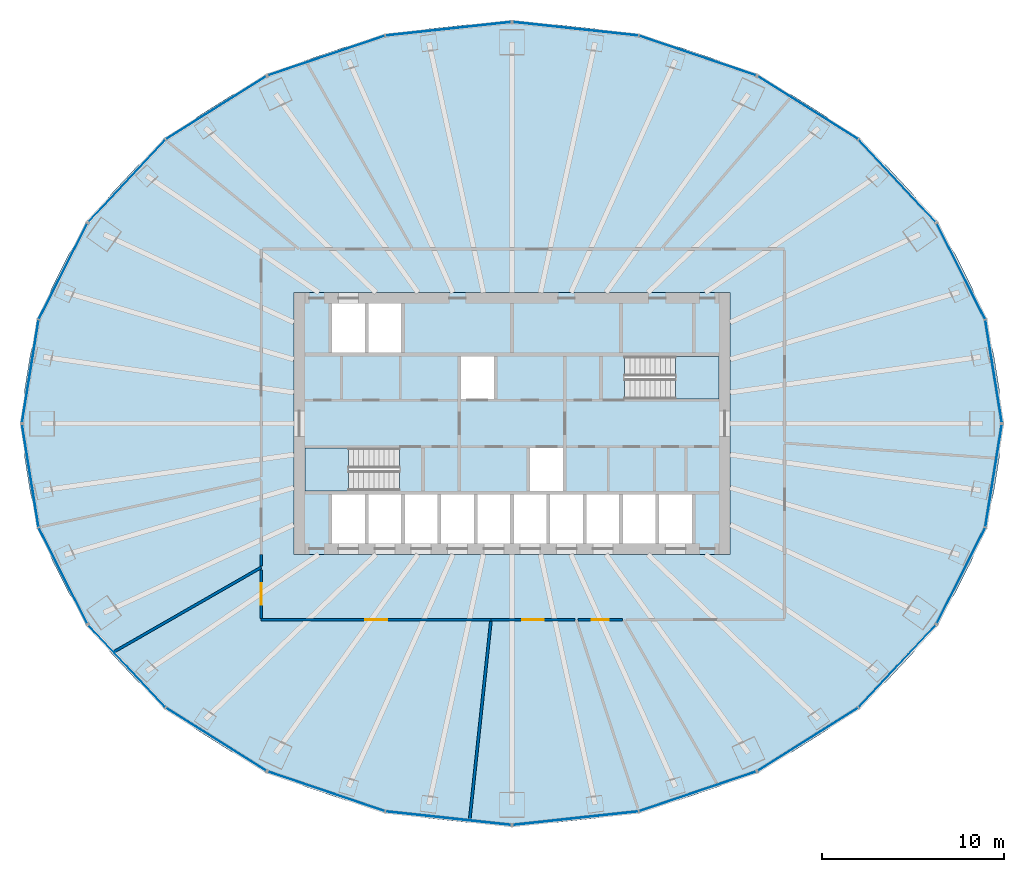
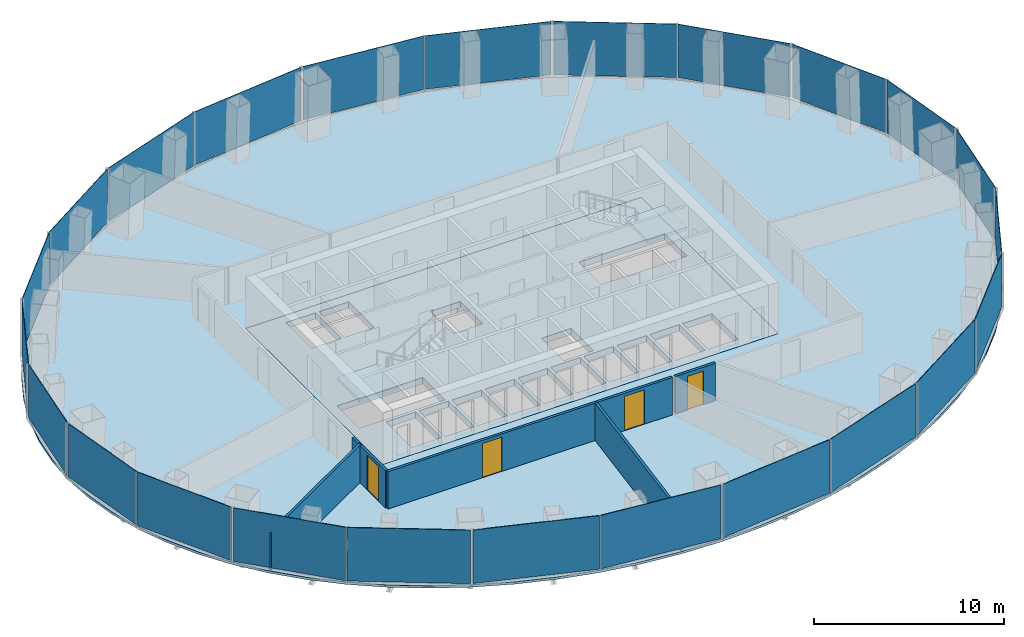
# One storey, part 7 of 11: 24 plates, 7 walls, 4 doors, 4 slabs, 4 openings, 14 elements without a shape of their own.
"""IFC4 building model written with IfcOpenShell, lengths in metres."""

from ifc_helpers import new_model, si_unit, direction, frame, frame_2d, origin, origin_2d, place, context, subcontext, project, spatial, polyline, rectangle, outline, extrude, material, layer, layer_set, type_object, element, fill, aggregate, save


model = new_model("IFC4")

# Units and contexts
model_context = context("Model", 3, precision=1e-05, world=origin(), true_north=direction((0.0, 1.0)))
body_context = subcontext(model_context, "Body", "Model", "MODEL_VIEW")
ifc_project = project(units=[si_unit("LENGTHUNIT", "METRE"), si_unit("AREAUNIT", "SQUARE_METRE"), si_unit("VOLUMEUNIT", "CUBIC_METRE"), si_unit("PLANEANGLEUNIT", "RADIAN"), si_unit("MASSUNIT", "GRAM", prefix="KILO")], contexts=[model_context])

# Site, building, storey
site_placement = place(None, origin())
site = spatial("IfcSite", under=ifc_project, at=site_placement, CompositionType="ELEMENT")
building_placement = place(site_placement, origin())
building = spatial("IfcBuilding", under=site, at=building_placement, Name="Siaravel Broadcast Tower", CompositionType="ELEMENT")
storey_placement = place(building_placement, frame((0.0, 0.0, 74.10009765625)))
storey = spatial("IfcBuildingStorey", under=building, at=storey_placement, Name="L17", CompositionType="ELEMENT", Elevation=74.10009765625)

# Curtain wall, plates
ifc_material_1 = material(Name="Aluminium 6063-T6", Category="aluminium")
ifc_layer_1 = layer(ifc_material_1, 0.219970703125)
ifc_layer_set_1 = layer_set([ifc_layer_1], Name="Aluminium 6063-T6")
curtain_wall_type = type_object("IfcCurtainWallType", Name="Unitised curtain wall, zone 1", PredefinedType="NOTDEFINED", material=ifc_layer_set_1)
curtain_wall_1_placement = place(storey_placement, origin())
curtain_wall_1 = element("IfcCurtainWall", 1, at=curtain_wall_1_placement, inside=storey, type_object=curtain_wall_type, Name="L17 Unitised curtain wall, zone 1 01", PredefinedType="NOTDEFINED")
ifc_material_2 = material(Name="Tinted laminated glass", Category="glass")
ifc_layer_2 = layer(ifc_material_2, 0.031982421875)
ifc_layer_set_2 = layer_set([ifc_layer_2], Name="Tinted laminated glass")
plate_type = type_object("IfcPlateType", Name="CW-Z1 glass panel", PredefinedType="CURTAIN_PANEL", material=ifc_layer_set_2)
plate_1_placement = place(storey_placement, frame((26.501220703125, 2.8779296875, 0.1201171875), z_axis=(0.0, 0.0, 1.0), x_axis=(-0.158685468, 0.987329186, 0.0)))
plate_1 = element("IfcPlate", 2, at=plate_1_placement, type_object=plate_type, Name="CW-Z1 glass panel", PredefinedType="CURTAIN_PANEL", context=body_context, shape_type="SweptSolid", body=[
    extrude(rectangle(XDim=5.689697265625, YDim=0.031982421875, at=origin_2d()), origin(), (0.0, 0.0, 1.0), 3.429931640625),
])
plate_2_placement = place(storey_placement, frame((24.704345703125, 8.370849609375, 0.1201171875), z_axis=(0.0, 0.0, 1.0), x_axis=(-0.451260668, 0.892392184, 0.0)))
plate_2 = element("IfcPlate", 3, at=plate_2_placement, type_object=plate_type, Name="CW-Z1 glass panel", PredefinedType="CURTAIN_PANEL", context=body_context, shape_type="SweptSolid", body=[
    extrude(rectangle(XDim=5.867919921875, YDim=0.031982421875, at=origin_2d()), origin(), (0.0, 0.0, 1.0), 3.429931640625),
])
aggregate(curtain_wall_1, [plate_1, plate_2])

curtain_wall_2_placement = place(storey_placement, origin())
curtain_wall_2 = element("IfcCurtainWall", 4, at=curtain_wall_2_placement, inside=storey, type_object=curtain_wall_type, Name="L17 Unitised curtain wall, zone 1 02", PredefinedType="NOTDEFINED")
plate_3_placement = place(storey_placement, frame((21.193603515625, 13.35205078125, 0.1201171875), z_axis=(0.0, 0.0, 1.0), x_axis=(-0.683654746, 0.729805583, 0.0)))
plate_3 = element("IfcPlate", 5, at=plate_3_placement, type_object=plate_type, Name="CW-Z1 glass panel", PredefinedType="CURTAIN_PANEL", context=body_context, shape_type="SweptSolid", body=[
    extrude(rectangle(XDim=6.16455078125, YDim=0.031982421875, at=origin_2d()), origin(), (0.0, 0.0, 1.0), 3.429931640625),
])
plate_4_placement = place(storey_placement, frame((16.28515625, 17.372802734375, 0.1201171875), z_axis=(0.0, 0.0, 1.0), x_axis=(-0.846650242, 0.532149761, 0.0)))
plate_4 = element("IfcPlate", 6, at=plate_4_placement, type_object=plate_type, Name="CW-Z1 glass panel", PredefinedType="CURTAIN_PANEL", context=body_context, shape_type="SweptSolid", body=[
    extrude(rectangle(XDim=6.49072265625, YDim=0.031982421875, at=origin_2d()), origin(), (0.0, 0.0, 1.0), 3.429931640625),
])
aggregate(curtain_wall_2, [plate_3, plate_4])

curtain_wall_3_placement = place(storey_placement, origin())
curtain_wall_3 = element("IfcCurtainWall", 7, at=curtain_wall_3_placement, inside=storey, type_object=curtain_wall_type, Name="L17 Unitised curtain wall, zone 1 03", PredefinedType="NOTDEFINED")
plate_5_placement = place(storey_placement, frame((10.210693359375, 20.24560546875, 0.1201171875), z_axis=(0.0, 0.0, 1.0), x_axis=(-0.946977085, 0.321301105, 0.0)))
plate_5 = element("IfcPlate", 8, at=plate_5_placement, type_object=plate_type, Name="CW-Z1 glass panel", PredefinedType="CURTAIN_PANEL", context=body_context, shape_type="SweptSolid", body=[
    extrude(rectangle(XDim=6.7607421875, YDim=0.031982421875, at=origin_2d()), origin(), (0.0, 0.0, 1.0), 3.429931640625),
])
plate_6_placement = place(storey_placement, frame((3.505615234375, 21.71728515625, 0.1201171875), z_axis=(0.0, 0.0, 1.0), x_axis=(-0.99423557, 0.107217679, 0.0)))
plate_6 = element("IfcPlate", 9, at=plate_6_placement, type_object=plate_type, Name="CW-Z1 glass panel", PredefinedType="CURTAIN_PANEL", context=body_context, shape_type="SweptSolid", body=[
    extrude(rectangle(XDim=6.911865234375, YDim=0.031982421875, at=origin_2d()), origin(), (0.0, 0.0, 1.0), 3.429931640625),
])
aggregate(curtain_wall_3, [plate_5, plate_6])

curtain_wall_4_placement = place(storey_placement, origin())
curtain_wall_4 = element("IfcCurtainWall", 10, at=curtain_wall_4_placement, inside=storey, type_object=curtain_wall_type, Name="L17 Unitised curtain wall, zone 1 04", PredefinedType="NOTDEFINED")
plate_7_placement = place(storey_placement, frame((-3.505615234375, 21.71728515625, 0.1201171875), z_axis=(0.0, 0.0, 1.0), x_axis=(-0.99423557, -0.107217679, 0.0)))
plate_7 = element("IfcPlate", 11, at=plate_7_placement, type_object=plate_type, Name="CW-Z1 glass panel", PredefinedType="CURTAIN_PANEL", context=body_context, shape_type="SweptSolid", body=[
    extrude(rectangle(XDim=6.911865234375, YDim=0.031982421875, at=origin_2d()), origin(), (0.0, 0.0, 1.0), 3.429931640625),
])
plate_8_placement = place(storey_placement, frame((-10.210693359375, 20.24560546875, 0.1201171875), z_axis=(0.0, 0.0, 1.0), x_axis=(-0.946977085, -0.321301105, 0.0)))
plate_8 = element("IfcPlate", 12, at=plate_8_placement, type_object=plate_type, Name="CW-Z1 glass panel", PredefinedType="CURTAIN_PANEL", context=body_context, shape_type="SweptSolid", body=[
    extrude(rectangle(XDim=6.7607421875, YDim=0.031982421875, at=origin_2d()), origin(), (0.0, 0.0, 1.0), 3.429931640625),
])
aggregate(curtain_wall_4, [plate_7, plate_8])

curtain_wall_5_placement = place(storey_placement, origin())
curtain_wall_5 = element("IfcCurtainWall", 13, at=curtain_wall_5_placement, inside=storey, type_object=curtain_wall_type, Name="L17 Unitised curtain wall, zone 1 05", PredefinedType="NOTDEFINED")
plate_9_placement = place(storey_placement, frame((-16.28515625, 17.372802734375, 0.1201171875), z_axis=(0.0, 0.0, 1.0), x_axis=(-0.846650242, -0.532149761, 0.0)))
plate_9 = element("IfcPlate", 14, at=plate_9_placement, type_object=plate_type, Name="CW-Z1 glass panel", PredefinedType="CURTAIN_PANEL", context=body_context, shape_type="SweptSolid", body=[
    extrude(rectangle(XDim=6.49072265625, YDim=0.031982421875, at=origin_2d()), origin(), (0.0, 0.0, 1.0), 3.429931640625),
])
plate_10_placement = place(storey_placement, frame((-21.193603515625, 13.35205078125, 0.1201171875), z_axis=(0.0, 0.0, 1.0), x_axis=(-0.683654746, -0.729805583, 0.0)))
plate_10 = element("IfcPlate", 15, at=plate_10_placement, type_object=plate_type, Name="CW-Z1 glass panel", PredefinedType="CURTAIN_PANEL", context=body_context, shape_type="SweptSolid", body=[
    extrude(rectangle(XDim=6.16455078125, YDim=0.031982421875, at=origin_2d()), origin(), (0.0, 0.0, 1.0), 3.429931640625),
])
aggregate(curtain_wall_5, [plate_9, plate_10])

curtain_wall_6_placement = place(storey_placement, origin())
curtain_wall_6 = element("IfcCurtainWall", 16, at=curtain_wall_6_placement, inside=storey, type_object=curtain_wall_type, Name="L17 Unitised curtain wall, zone 1 06", PredefinedType="NOTDEFINED")
plate_11_placement = place(storey_placement, frame((-24.704345703125, 8.370849609375, 0.1201171875), z_axis=(0.0, 0.0, 1.0), x_axis=(-0.451260668, -0.892392184, 0.0)))
plate_11 = element("IfcPlate", 17, at=plate_11_placement, type_object=plate_type, Name="CW-Z1 glass panel", PredefinedType="CURTAIN_PANEL", context=body_context, shape_type="SweptSolid", body=[
    extrude(rectangle(XDim=5.867919921875, YDim=0.031982421875, at=origin_2d()), origin(), (0.0, 0.0, 1.0), 3.429931640625),
])
plate_12_placement = place(storey_placement, frame((-26.501220703125, 2.8779296875, 0.1201171875), z_axis=(0.0, 0.0, 1.0), x_axis=(-0.158685468, -0.987329186, 0.0)))
plate_12 = element("IfcPlate", 18, at=plate_12_placement, type_object=plate_type, Name="CW-Z1 glass panel", PredefinedType="CURTAIN_PANEL", context=body_context, shape_type="SweptSolid", body=[
    extrude(rectangle(XDim=5.689697265625, YDim=0.031982421875, at=origin_2d()), origin(), (0.0, 0.0, 1.0), 3.429931640625),
])
aggregate(curtain_wall_6, [plate_11, plate_12])

curtain_wall_7_placement = place(storey_placement, origin())
curtain_wall_7 = element("IfcCurtainWall", 19, at=curtain_wall_7_placement, inside=storey, type_object=curtain_wall_type, Name="L17 Unitised curtain wall, zone 1 07", PredefinedType="NOTDEFINED")
plate_13_placement = place(storey_placement, frame((-26.501220703125, -2.8779296875, 0.1201171875), z_axis=(0.0, 0.0, 1.0), x_axis=(0.158685468, -0.987329186, 0.0)))
plate_13 = element("IfcPlate", 20, at=plate_13_placement, type_object=plate_type, Name="CW-Z1 glass panel", PredefinedType="CURTAIN_PANEL", context=body_context, shape_type="SweptSolid", body=[
    extrude(rectangle(XDim=5.689697265625, YDim=0.031982421875, at=origin_2d()), origin(), (0.0, 0.0, 1.0), 3.429931640625),
])
plate_14_placement = place(storey_placement, frame((-24.704345703125, -8.370849609375, 0.1201171875), z_axis=(0.0, 0.0, 1.0), x_axis=(0.451260668, -0.892392184, 0.0)))
plate_14 = element("IfcPlate", 21, at=plate_14_placement, type_object=plate_type, Name="CW-Z1 glass panel", PredefinedType="CURTAIN_PANEL", context=body_context, shape_type="SweptSolid", body=[
    extrude(rectangle(XDim=5.867919921875, YDim=0.031982421875, at=origin_2d()), origin(), (0.0, 0.0, 1.0), 3.429931640625),
])
aggregate(curtain_wall_7, [plate_13, plate_14])

curtain_wall_8_placement = place(storey_placement, origin())
curtain_wall_8 = element("IfcCurtainWall", 22, at=curtain_wall_8_placement, inside=storey, type_object=curtain_wall_type, Name="L17 Unitised curtain wall, zone 1 08", PredefinedType="NOTDEFINED")
plate_15_placement = place(storey_placement, frame((-21.193603515625, -13.35205078125, 0.1201171875), z_axis=(0.0, 0.0, 1.0), x_axis=(0.683654746, -0.729805583, 0.0)))
plate_15 = element("IfcPlate", 23, at=plate_15_placement, type_object=plate_type, Name="CW-Z1 glass panel", PredefinedType="CURTAIN_PANEL", context=body_context, shape_type="SweptSolid", body=[
    extrude(rectangle(XDim=6.16455078125, YDim=0.031982421875, at=origin_2d()), origin(), (0.0, 0.0, 1.0), 3.429931640625),
])
plate_16_placement = place(storey_placement, frame((-16.28515625, -17.372802734375, 0.1201171875), z_axis=(0.0, 0.0, 1.0), x_axis=(0.846650242, -0.532149761, 0.0)))
plate_16 = element("IfcPlate", 24, at=plate_16_placement, type_object=plate_type, Name="CW-Z1 glass panel", PredefinedType="CURTAIN_PANEL", context=body_context, shape_type="SweptSolid", body=[
    extrude(rectangle(XDim=6.49072265625, YDim=0.031982421875, at=origin_2d()), origin(), (0.0, 0.0, 1.0), 3.429931640625),
])
aggregate(curtain_wall_8, [plate_15, plate_16])

curtain_wall_9_placement = place(storey_placement, origin())
curtain_wall_9 = element("IfcCurtainWall", 25, at=curtain_wall_9_placement, inside=storey, type_object=curtain_wall_type, Name="L17 Unitised curtain wall, zone 1 09", PredefinedType="NOTDEFINED")
plate_17_placement = place(storey_placement, frame((-10.210693359375, -20.24560546875, 0.1201171875), z_axis=(0.0, 0.0, 1.0), x_axis=(0.946977085, -0.321301105, 0.0)))
plate_17 = element("IfcPlate", 26, at=plate_17_placement, type_object=plate_type, Name="CW-Z1 glass panel", PredefinedType="CURTAIN_PANEL", context=body_context, shape_type="SweptSolid", body=[
    extrude(rectangle(XDim=6.7607421875, YDim=0.031982421875, at=origin_2d()), origin(), (0.0, 0.0, 1.0), 3.429931640625),
])
plate_18_placement = place(storey_placement, frame((-3.505615234375, -21.71728515625, 0.1201171875), z_axis=(0.0, 0.0, 1.0), x_axis=(0.99423557, -0.107217679, 0.0)))
plate_18 = element("IfcPlate", 27, at=plate_18_placement, type_object=plate_type, Name="CW-Z1 glass panel", PredefinedType="CURTAIN_PANEL", context=body_context, shape_type="SweptSolid", body=[
    extrude(rectangle(XDim=6.911865234375, YDim=0.031982421875, at=origin_2d()), origin(), (0.0, 0.0, 1.0), 3.429931640625),
])
aggregate(curtain_wall_9, [plate_17, plate_18])

curtain_wall_10_placement = place(storey_placement, origin())
curtain_wall_10 = element("IfcCurtainWall", 28, at=curtain_wall_10_placement, inside=storey, type_object=curtain_wall_type, Name="L17 Unitised curtain wall, zone 1 10", PredefinedType="NOTDEFINED")
plate_19_placement = place(storey_placement, frame((3.505615234375, -21.71728515625, 0.1201171875), z_axis=(0.0, 0.0, 1.0), x_axis=(0.99423557, 0.107217679, 0.0)))
plate_19 = element("IfcPlate", 29, at=plate_19_placement, type_object=plate_type, Name="CW-Z1 glass panel", PredefinedType="CURTAIN_PANEL", context=body_context, shape_type="SweptSolid", body=[
    extrude(rectangle(XDim=6.911865234375, YDim=0.031982421875, at=origin_2d()), origin(), (0.0, 0.0, 1.0), 3.429931640625),
])
plate_20_placement = place(storey_placement, frame((10.210693359375, -20.24560546875, 0.1201171875), z_axis=(0.0, 0.0, 1.0), x_axis=(0.946977085, 0.321301105, 0.0)))
plate_20 = element("IfcPlate", 30, at=plate_20_placement, type_object=plate_type, Name="CW-Z1 glass panel", PredefinedType="CURTAIN_PANEL", context=body_context, shape_type="SweptSolid", body=[
    extrude(rectangle(XDim=6.7607421875, YDim=0.031982421875, at=origin_2d()), origin(), (0.0, 0.0, 1.0), 3.429931640625),
])
aggregate(curtain_wall_10, [plate_19, plate_20])

curtain_wall_11_placement = place(storey_placement, origin())
curtain_wall_11 = element("IfcCurtainWall", 31, at=curtain_wall_11_placement, inside=storey, type_object=curtain_wall_type, Name="L17 Unitised curtain wall, zone 1 11", PredefinedType="NOTDEFINED")
plate_21_placement = place(storey_placement, frame((16.28515625, -17.372802734375, 0.1201171875), z_axis=(0.0, 0.0, 1.0), x_axis=(0.846650242, 0.532149761, 0.0)))
plate_21 = element("IfcPlate", 32, at=plate_21_placement, type_object=plate_type, Name="CW-Z1 glass panel", PredefinedType="CURTAIN_PANEL", context=body_context, shape_type="SweptSolid", body=[
    extrude(rectangle(XDim=6.49072265625, YDim=0.031982421875, at=origin_2d()), origin(), (0.0, 0.0, 1.0), 3.429931640625),
])
plate_22_placement = place(storey_placement, frame((21.193603515625, -13.35205078125, 0.1201171875), z_axis=(0.0, 0.0, 1.0), x_axis=(0.683654746, 0.729805583, 0.0)))
plate_22 = element("IfcPlate", 33, at=plate_22_placement, type_object=plate_type, Name="CW-Z1 glass panel", PredefinedType="CURTAIN_PANEL", context=body_context, shape_type="SweptSolid", body=[
    extrude(rectangle(XDim=6.16455078125, YDim=0.031982421875, at=origin_2d()), origin(), (0.0, 0.0, 1.0), 3.429931640625),
])
aggregate(curtain_wall_11, [plate_21, plate_22])

curtain_wall_12_placement = place(storey_placement, origin())
curtain_wall_12 = element("IfcCurtainWall", 34, at=curtain_wall_12_placement, inside=storey, type_object=curtain_wall_type, Name="L17 Unitised curtain wall, zone 1 12", PredefinedType="NOTDEFINED")
plate_23_placement = place(storey_placement, frame((24.704345703125, -8.370849609375, 0.1201171875), z_axis=(0.0, 0.0, 1.0), x_axis=(0.451260668, 0.892392184, 0.0)))
plate_23 = element("IfcPlate", 35, at=plate_23_placement, type_object=plate_type, Name="CW-Z1 glass panel", PredefinedType="CURTAIN_PANEL", context=body_context, shape_type="SweptSolid", body=[
    extrude(rectangle(XDim=5.867919921875, YDim=0.031982421875, at=origin_2d()), origin(), (0.0, 0.0, 1.0), 3.429931640625),
])
plate_24_placement = place(storey_placement, frame((26.501220703125, -2.8779296875, 0.1201171875), z_axis=(0.0, 0.0, 1.0), x_axis=(0.158685468, 0.987329186, 0.0)))
plate_24 = element("IfcPlate", 36, at=plate_24_placement, type_object=plate_type, Name="CW-Z1 glass panel", PredefinedType="CURTAIN_PANEL", context=body_context, shape_type="SweptSolid", body=[
    extrude(rectangle(XDim=5.689697265625, YDim=0.031982421875, at=origin_2d()), origin(), (0.0, 0.0, 1.0), 3.429931640625),
])
aggregate(curtain_wall_12, [plate_23, plate_24])

# Slabs
ifc_material_3 = material(Name="Concrete C40/50", Category="concrete")
ifc_layer_3 = layer(ifc_material_3, 0.39990234375)
ifc_layer_set_3 = layer_set([ifc_layer_3], Name="Concrete C40/50")
slab_type_1 = type_object("IfcSlabType", Name="Core floor slab 400", PredefinedType="FLOOR", material=ifc_layer_set_3)
slab_1_placement = place(storey_placement, frame((0.0, 0.0, -0.400146484375)))
element("IfcSlab", 37, at=slab_1_placement, inside=storey, type_object=slab_type_1, Name="L17 core floor", PredefinedType="FLOOR", context=body_context, shape_type="SweptSolid", body=[
    extrude(outline(polyline([(-12.0, -7.199951171875), (-12.0, 7.199951171875), (12.0, 7.199951171875), (12.0, -7.199951171875), (-12.0, -7.199951171875)]), holes=[polyline([(11.3994140625, 1.3505859375), (11.3994140625, 3.699462890625), (6.200439453125, 3.699462890625), (6.200439453125, 1.3505859375), (11.3994140625, 1.3505859375)]), polyline([(9.89990234375, -3.89990234375), (8.10009765625, -3.89990234375), (8.10009765625, -6.60009765625), (9.89990234375, -6.60009765625), (9.89990234375, -3.89990234375)]), polyline([(7.89990234375, -3.89990234375), (6.10009765625, -3.89990234375), (6.10009765625, -6.60009765625), (7.89990234375, -6.60009765625), (7.89990234375, -3.89990234375)]), polyline([(5.89990234375, -3.89990234375), (4.10009765625, -3.89990234375), (4.10009765625, -6.60009765625), (5.89990234375, -6.60009765625), (5.89990234375, -3.89990234375)]), polyline([(3.89990234375, -3.89990234375), (2.10009765625, -3.89990234375), (2.10009765625, -6.60009765625), (3.89990234375, -6.60009765625), (3.89990234375, -3.89990234375)]), polyline([(2.800048828125, -1.35009765625), (1.0, -1.35009765625), (1.0, -3.699951171875), (2.800048828125, -3.699951171875), (2.800048828125, -1.35009765625)]), polyline([(1.89990234375, -3.89990234375), (0.10009765625, -3.89990234375), (0.10009765625, -6.60009765625), (1.89990234375, -6.60009765625), (1.89990234375, -3.89990234375)]), polyline([(-0.10009765625, -3.89990234375), (-1.89990234375, -3.89990234375), (-1.89990234375, -6.60009765625), (-0.10009765625, -6.60009765625), (-0.10009765625, -3.89990234375)]), polyline([(-1.0, 3.699951171875), (-2.800048828125, 3.699951171875), (-2.800048828125, 1.35009765625), (-1.0, 1.35009765625), (-1.0, 3.699951171875)]), polyline([(-2.10009765625, -3.89990234375), (-3.89990234375, -3.89990234375), (-3.89990234375, -6.60009765625), (-2.10009765625, -6.60009765625), (-2.10009765625, -3.89990234375)]), polyline([(-4.10009765625, -3.89990234375), (-5.89990234375, -3.89990234375), (-5.89990234375, -6.60009765625), (-4.10009765625, -6.60009765625), (-4.10009765625, -3.89990234375)]), polyline([(-6.10009765625, -3.89990234375), (-7.89990234375, -3.89990234375), (-7.89990234375, -6.60009765625), (-6.10009765625, -6.60009765625), (-6.10009765625, -3.89990234375)]), polyline([(-6.10009765625, 6.60009765625), (-7.89990234375, 6.60009765625), (-7.89990234375, 3.89990234375), (-6.10009765625, 3.89990234375), (-6.10009765625, 6.60009765625)]), polyline([(-11.3994140625, -1.3505859375), (-11.3994140625, -3.699462890625), (-6.200439453125, -3.699462890625), (-6.200439453125, -1.3505859375), (-11.3994140625, -1.3505859375)]), polyline([(-8.10009765625, -3.89990234375), (-9.89990234375, -3.89990234375), (-9.89990234375, -6.60009765625), (-8.10009765625, -6.60009765625), (-8.10009765625, -3.89990234375)]), polyline([(-8.10009765625, 6.60009765625), (-9.89990234375, 6.60009765625), (-9.89990234375, 3.89990234375), (-8.10009765625, 3.89990234375), (-8.10009765625, 6.60009765625)])]), origin(), (0.0, 0.0, 1.0), 0.400146484375),
])
ifc_layer_4 = layer(ifc_material_3, 0.14990234375)
ifc_layer_set_4 = layer_set([ifc_layer_4], Name="Concrete C40/50")
slab_type_2 = type_object("IfcSlabType", Name="SLB-FLOOR-150", PredefinedType="FLOOR", material=ifc_layer_set_4)
slab_2_placement = place(storey_placement, frame((0.0, 0.0, -0.150146484375)))
element("IfcSlab", 38, at=slab_2_placement, inside=storey, type_object=slab_type_2, Name="Floor slab", PredefinedType="FLOOR", context=body_context, shape_type="SweptSolid", body=[
    extrude(outline(polyline([(26.91357421875, 0.0), (26.811279296875, 1.92138671875), (26.504638671875, 3.828125), (25.99658203125, 5.705810546875), (25.29052734375, 7.539794921875), (24.39208984375, 9.316650390625), (23.307861328125, 11.022705078125), (22.04638671875, 12.644775390625), (20.616943359375, 14.17041015625), (19.03076171875, 15.58837890625), (17.2998046875, 16.8876953125), (15.43701171875, 18.05859375), (13.456787109375, 19.091796875), (11.374267578125, 19.979736328125), (9.205078125, 20.7158203125), (6.9658203125, 21.294189453125), (4.673583984375, 21.71044921875), (2.345703125, 21.96142578125), (0.0, 22.04541015625), (-2.345703125, 21.96142578125), (-4.673583984375, 21.71044921875), (-6.9658203125, 21.294189453125), (-9.205078125, 20.7158203125), (-11.374267578125, 19.979736328125), (-13.456787109375, 19.091796875), (-15.43701171875, 18.05859375), (-17.2998046875, 16.8876953125), (-19.03076171875, 15.58837890625), (-20.616943359375, 14.17041015625), (-22.04638671875, 12.644775390625), (-23.307861328125, 11.022705078125), (-24.39208984375, 9.316650390625), (-25.29052734375, 7.539794921875), (-25.99658203125, 5.705810546875), (-26.504638671875, 3.828125), (-26.811279296875, 1.92138671875), (-26.91357421875, 0.0), (-26.811279296875, -1.92138671875), (-26.504638671875, -3.828125), (-25.99658203125, -5.705810546875), (-25.29052734375, -7.539794921875), (-24.39208984375, -9.316650390625), (-23.307861328125, -11.022705078125), (-22.04638671875, -12.644775390625), (-20.616943359375, -14.17041015625), (-19.03076171875, -15.58837890625), (-17.2998046875, -16.8876953125), (-15.43701171875, -18.05859375), (-13.456787109375, -19.091796875), (-11.374267578125, -19.979736328125), (-9.205078125, -20.7158203125), (-6.9658203125, -21.294189453125), (-4.673583984375, -21.71044921875), (-2.345703125, -21.96142578125), (0.0, -22.04541015625), (2.345703125, -21.96142578125), (4.673583984375, -21.71044921875), (6.9658203125, -21.294189453125), (9.205078125, -20.7158203125), (11.374267578125, -19.979736328125), (13.456787109375, -19.091796875), (15.43701171875, -18.05859375), (17.2998046875, -16.8876953125), (19.03076171875, -15.58837890625), (20.616943359375, -14.17041015625), (22.04638671875, -12.644775390625), (23.307861328125, -11.022705078125), (24.39208984375, -9.316650390625), (25.29052734375, -7.539794921875), (25.99658203125, -5.705810546875), (26.504638671875, -3.828125), (26.811279296875, -1.92138671875), (26.91357421875, 0.0)]), holes=[polyline([(-12.0, 7.199951171875), (12.0, 7.199951171875), (12.0, -7.199951171875), (-12.0, -7.199951171875), (-12.0, 7.199951171875)])]), origin(), (0.0, 0.0, 1.0), 0.150146484375),
])

# Stair, slab
stair_type = type_object("IfcStairType", Name="Core exit stair", PredefinedType="HALF_TURN_STAIR", material=ifc_material_3)
stair_1_placement = place(storey_placement, origin())
stair_1 = element("IfcStair", 39, at=stair_1_placement, inside=storey, type_object=stair_type, Name="L17 Exit stair ST-1", PredefinedType="HALF_TURN_STAIR")
ifc_layer_5 = layer(ifc_material_3, 0.199951171875)
ifc_layer_set_5 = layer_set([ifc_layer_5], Name="Concrete C40/50")
slab_type_3 = type_object("IfcSlabType", Name="Stair landing", PredefinedType="LANDING", material=ifc_layer_set_5)
slab_3_placement = place(storey_placement, frame((0.0, 0.0, 1.64990234375)))
slab_3 = element("IfcSlab", 40, at=slab_3_placement, type_object=slab_type_3, Name="ST-1 landing 1", PredefinedType="LANDING", context=body_context, shape_type="SweptSolid", body=[
    extrude(outline(polyline([(-9.0, -1.35009765625), (-11.39990234375, -1.35009765625), (-11.39990234375, -3.699951171875), (-9.0, -3.699951171875), (-9.0, -1.35009765625)])), origin(), (0.0, 0.0, 1.0), 0.199951171875),
])
aggregate(stair_1, [slab_3])

stair_2_placement = place(storey_placement, origin())
stair_2 = element("IfcStair", 41, at=stair_2_placement, inside=storey, type_object=stair_type, Name="L17 Exit stair ST-2", PredefinedType="HALF_TURN_STAIR")
slab_4_placement = place(storey_placement, frame((0.0, 0.0, 1.64990234375)))
slab_4 = element("IfcSlab", 42, at=slab_4_placement, type_object=slab_type_3, Name="ST-2 landing 1", PredefinedType="LANDING", context=body_context, shape_type="SweptSolid", body=[
    extrude(outline(polyline([(9.0, 1.35009765625), (11.39990234375, 1.35009765625), (11.39990234375, 3.699951171875), (9.0, 3.699951171875), (9.0, 1.35009765625)])), origin(), (0.0, 0.0, 1.0), 0.199951171875),
])
aggregate(stair_2, [slab_4])

# Wall, opening, door
ifc_material_4 = material(Name="Gypsum board partition", Category="gypsum")
ifc_layer_6 = layer(ifc_material_4, 0.14990234375)
ifc_layer_set_6 = layer_set([ifc_layer_6], Name="Gypsum board partition")
wall_type_1 = type_object("IfcWallType", Name="Corridor wall 150", PredefinedType="PARTITIONING", material=ifc_layer_set_6)
wall_1_placement = place(storey_placement, frame((-13.800048828125, -10.800048828125, 0.0), z_axis=(0.0, 0.0, 1.0), x_axis=(1.0, 0.0, 0.0)))
wall_1 = element("IfcWall", 43, at=wall_1_placement, inside=storey, type_object=wall_type_1, Name="L17 partition 2", PredefinedType="PARTITIONING", context=body_context, shape_type="SweptSolid", body=[
    extrude(rectangle(XDim=12.646484375, YDim=0.14990234375, at=frame_2d((6.3232421875, 0.0))), origin(), (0.0, 0.0, 1.0), 2.39990234375),
])
opening_1_placement = place(wall_1_placement, frame((5.72314453125, 0.0, 0.0)))
opening_1 = element("IfcOpeningElement", 44, at=opening_1_placement, cuts=wall_1, Name="Opening L17-010", PredefinedType="OPENING", context=body_context, shape_type="SweptSolid", body=[
    extrude(rectangle(XDim=1.199951171875, YDim=2.199951171875, at=frame_2d((0.60009765625, 1.10009765625))), frame((0.0, 0.0849609375, 0.0), z_axis=(0.0, -1.0, 0.0), x_axis=(1.0, 0.0, 0.0)), (0.0, 0.0, 1.0), 0.169921875),
])
ifc_material_5 = material(Name="Timber veneer", Category="wood")
door_type_1 = type_object("IfcDoorType", Name="Office double door 1200", OperationType="DOUBLE_DOOR_SINGLE_SWING", PredefinedType="DOOR", material=ifc_material_5)
door_1_placement = place(opening_1_placement, origin())
door_1 = element("IfcDoor", 45, at=door_1_placement, inside=storey, type_object=door_type_1, Name="L17 door to Open plan newsroom", OperationType="DOUBLE_DOOR_SINGLE_SWING", OverallHeight=2.199951171875, OverallWidth=1.199951171875, PredefinedType="DOOR", context=body_context, shape_type="SweptSolid", body=[
    extrude(rectangle(XDim=1.199951171875, YDim=2.199951171875, at=frame_2d((0.60009765625, 1.10009765625))), frame((0.0, 0.02490234375, 0.0), z_axis=(0.0, -1.0, 0.0), x_axis=(1.0, 0.0, 0.0)), (0.0, 0.0, 1.0), 0.050048828125),
])
fill(opening_1, door_1)

wall_2_placement = place(storey_placement, frame((-1.152587890625, -10.800048828125, 0.0), z_axis=(0.0, 0.0, 1.0), x_axis=(1.0, 0.0, 0.0)))
wall_2 = element("IfcWall", 46, at=wall_2_placement, inside=storey, type_object=wall_type_1, Name="L17 partition 18", PredefinedType="PARTITIONING", context=body_context, shape_type="SweptSolid", body=[
    extrude(rectangle(XDim=4.6123046875, YDim=0.14990234375, at=frame_2d((2.30615234375, 0.0))), origin(), (0.0, 0.0, 1.0), 2.39990234375),
])
opening_2_placement = place(wall_2_placement, frame((1.7060546875, 0.0, 0.0)))
opening_2 = element("IfcOpeningElement", 47, at=opening_2_placement, cuts=wall_2, Name="Opening L17-012", PredefinedType="OPENING", context=body_context, shape_type="SweptSolid", body=[
    extrude(rectangle(XDim=1.199951171875, YDim=2.199951171875, at=frame_2d((0.60009765625, 1.10009765625))), frame((0.0, 0.0849609375, 0.0), z_axis=(0.0, -1.0, 0.0), x_axis=(1.0, 0.0, 0.0)), (0.0, 0.0, 1.0), 0.169921875),
])
door_2_placement = place(opening_2_placement, origin())
door_2 = element("IfcDoor", 48, at=door_2_placement, inside=storey, type_object=door_type_1, Name="L17 door to Newsroom desk office", OperationType="DOUBLE_DOOR_SINGLE_SWING", OverallHeight=2.199951171875, OverallWidth=1.199951171875, PredefinedType="DOOR", context=body_context, shape_type="SweptSolid", body=[
    extrude(rectangle(XDim=1.199951171875, YDim=2.199951171875, at=frame_2d((0.60009765625, 1.10009765625))), frame((0.0, 0.02490234375, 0.0), z_axis=(0.0, -1.0, 0.0), x_axis=(1.0, 0.0, 0.0)), (0.0, 0.0, 1.0), 0.050048828125),
])
fill(opening_2, door_2)

wall_3_placement = place(storey_placement, frame((-13.800048828125, -8.04638671875, 0.0), z_axis=(0.0, 0.0, 1.0), x_axis=(0.0, -1.0, 0.0)))
wall_3 = element("IfcWall", 49, at=wall_3_placement, inside=storey, type_object=wall_type_1, Name="L17 partition 21", PredefinedType="PARTITIONING", context=body_context, shape_type="SweptSolid", body=[
    extrude(rectangle(XDim=2.676513671875, YDim=0.14990234375, at=frame_2d((1.33837890625, 0.0))), origin(), (0.0, 0.0, 1.0), 2.39990234375),
])
opening_3_placement = place(wall_3_placement, frame((0.73828125, 0.0, 0.0)))
opening_3 = element("IfcOpeningElement", 50, at=opening_3_placement, cuts=wall_3, Name="Opening L17-011", PredefinedType="OPENING", context=body_context, shape_type="SweptSolid", body=[
    extrude(rectangle(XDim=1.199951171875, YDim=2.199951171875, at=frame_2d((0.60009765625, 1.10009765625))), frame((0.0, 0.0849609375, 0.0), z_axis=(0.0, -1.0, 0.0), x_axis=(1.0, 0.0, 0.0)), (0.0, 0.0, 1.0), 0.169921875),
])
door_3_placement = place(opening_3_placement, origin())
door_3 = element("IfcDoor", 51, at=door_3_placement, inside=storey, type_object=door_type_1, Name="L17 door to Open plan newsroom", OperationType="DOUBLE_DOOR_SINGLE_SWING", OverallHeight=2.199951171875, OverallWidth=1.199951171875, PredefinedType="DOOR", context=body_context, shape_type="SweptSolid", body=[
    extrude(rectangle(XDim=1.199951171875, YDim=2.199951171875, at=frame_2d((0.60009765625, 1.10009765625))), frame((0.0, 0.02490234375, 0.0), z_axis=(0.0, -1.0, 0.0), x_axis=(1.0, 0.0, 0.0)), (0.0, 0.0, 1.0), 0.050048828125),
])
fill(opening_3, door_3)

wall_4_placement = place(storey_placement, frame((3.638427734375, -10.800048828125, 0.0), z_axis=(0.0, 0.0, 1.0), x_axis=(1.0, 0.0, 0.0)))
wall_4 = element("IfcWall", 52, at=wall_4_placement, inside=storey, type_object=wall_type_1, Name="L17 partition 22", PredefinedType="PARTITIONING", context=body_context, shape_type="SweptSolid", body=[
    extrude(rectangle(XDim=2.442626953125, YDim=0.14990234375, at=frame_2d((1.22119140625, 0.0))), origin(), (0.0, 0.0, 1.0), 2.39990234375),
])
opening_4_placement = place(wall_4_placement, frame((0.746337890625, 0.0, 0.0)))
opening_4 = element("IfcOpeningElement", 53, at=opening_4_placement, cuts=wall_4, Name="Opening L17-013", PredefinedType="OPENING", context=body_context, shape_type="SweptSolid", body=[
    extrude(rectangle(XDim=0.949951171875, YDim=2.14990234375, at=frame_2d((0.47509765625, 1.074951171875))), frame((0.0, 0.0849609375, 0.0), z_axis=(0.0, -1.0, 0.0), x_axis=(1.0, 0.0, 0.0)), (0.0, 0.0, 1.0), 0.169921875),
])
door_type_2 = type_object("IfcDoorType", Name="Office door 950", OperationType="SINGLE_SWING_LEFT", PredefinedType="DOOR", material=ifc_material_5)
door_4_placement = place(opening_4_placement, origin())
door_4 = element("IfcDoor", 54, at=door_4_placement, inside=storey, type_object=door_type_2, Name="L17 door to Graphics studio", OperationType="SINGLE_SWING_LEFT", OverallHeight=2.14990234375, OverallWidth=0.949951171875, PredefinedType="DOOR", context=body_context, shape_type="SweptSolid", body=[
    extrude(rectangle(XDim=0.949951171875, YDim=2.14990234375, at=frame_2d((0.47509765625, 1.074951171875))), frame((0.0, 0.02490234375, 0.0), z_axis=(0.0, -1.0, 0.0), x_axis=(1.0, 0.0, 0.0)), (0.0, 0.0, 1.0), 0.050048828125),
])
fill(opening_4, door_4)

# Walls
wall_5_placement = place(storey_placement, frame((-13.800048828125, -7.212890625, 0.0), z_axis=(0.0, 0.0, 1.0), x_axis=(0.0, -1.0, 0.0)))
element("IfcWall", 55, at=wall_5_placement, inside=storey, type_object=wall_type_1, Name="L17 partition 26", PredefinedType="PARTITIONING", context=body_context, shape_type="SweptSolid", body=[
    extrude(rectangle(XDim=0.635009765625, YDim=0.14990234375, at=frame_2d((0.3173828125, 0.0))), origin(), (0.0, 0.0, 1.0), 2.39990234375),
])
ifc_layer_7 = layer(ifc_material_4, 0.14990234375)
ifc_layer_set_7 = layer_set([ifc_layer_7], Name="Gypsum board partition")
wall_type_2 = type_object("IfcWallType", Name="Room partition 150", PredefinedType="PARTITIONING", material=ifc_layer_set_7)
wall_6_placement = place(storey_placement, frame((-2.3330078125, -21.841796875, 0.0), z_axis=(0.0, 0.0, 1.0), x_axis=(0.106216283, 0.99434305, 0.0)))
element("IfcWall", 56, at=wall_6_placement, inside=storey, type_object=wall_type_2, Name="L17 partition 6", PredefinedType="PARTITIONING", context=body_context, shape_type="SweptSolid", body=[
    extrude(rectangle(XDim=11.01904296875, YDim=0.14990234375, at=frame_2d((5.509521484375, 0.0))), origin(), (0.0, 0.0, 1.0), 2.39990234375),
])
wall_7_placement = place(storey_placement, frame((-21.939453125, -12.58349609375, 0.0), z_axis=(0.0, 0.0, 1.0), x_axis=(0.867444641, 0.497533712, 0.0)))
element("IfcWall", 57, at=wall_7_placement, inside=storey, type_object=wall_type_2, Name="L17 partition 11", PredefinedType="PARTITIONING", context=body_context, shape_type="SweptSolid", body=[
    extrude(rectangle(XDim=9.38330078125, YDim=0.14990234375, at=frame_2d((4.691650390625, 0.0))), origin(), (0.0, 0.0, 1.0), 2.39990234375),
])

save(model, "model.ifc")
